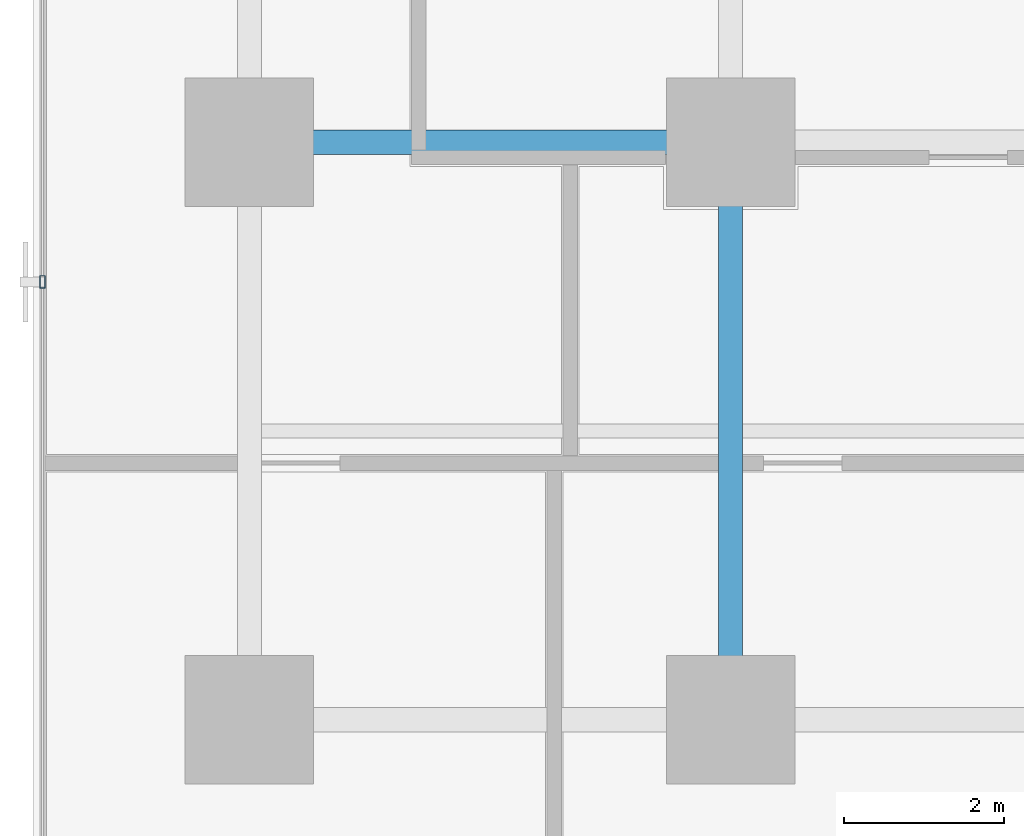
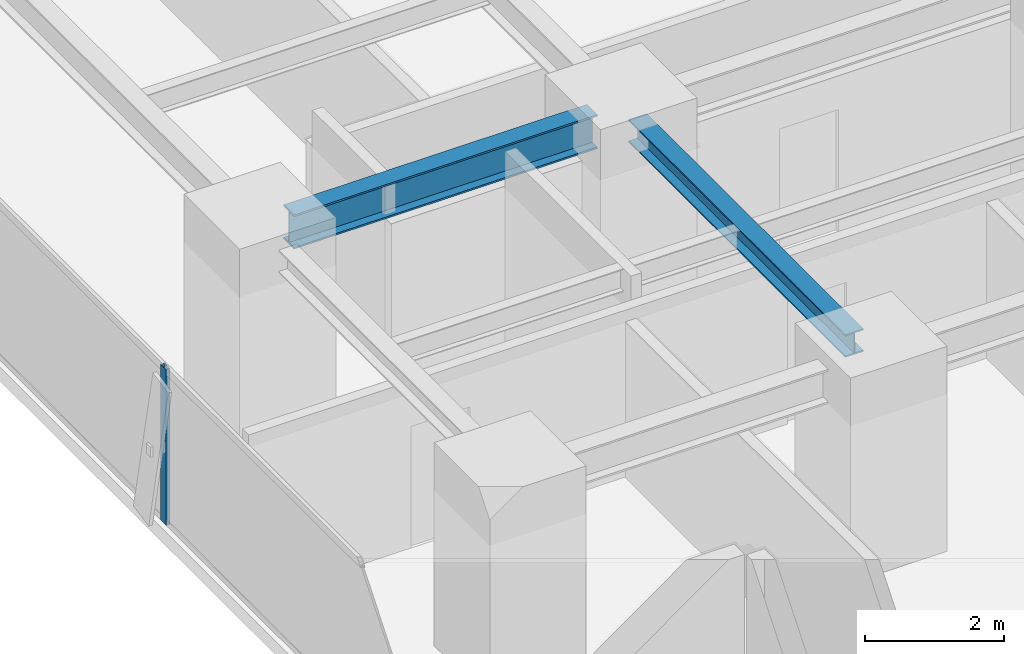
# One storey, part 4 of 37: 2 beams, 1 member, 1 element without a shape of its own.
"""IFC4 building model written with IfcOpenShell, lengths in metres."""

from ifc_helpers import new_model, si_unit, direction, frame, origin, origin_2d, place, context, subcontext, project, spatial, hollow_rectangle, i_section, extrude, source, transform, mapped, material, layer, layer_set, material_profile, profile_set, type_object, element, aggregate, save


model = new_model("IFC4")

# Units and contexts
model_context = context("Model", 3, precision=1e-05, world=origin(), true_north=direction((0.0, 1.0)))
body_context = subcontext(model_context, "Body", "Model", "MODEL_VIEW")
ifc_project = project(units=[si_unit("LENGTHUNIT", "METRE"), si_unit("AREAUNIT", "SQUARE_METRE"), si_unit("VOLUMEUNIT", "CUBIC_METRE"), si_unit("PLANEANGLEUNIT", "RADIAN"), si_unit("MASSUNIT", "GRAM", prefix="KILO")], contexts=[model_context])

# Site, building, storey
site_placement = place(None, origin())
site = spatial("IfcSite", under=ifc_project, at=site_placement, CompositionType="ELEMENT")
building_placement = place(site_placement, origin())
building = spatial("IfcBuilding", under=site, at=building_placement, Name="Sumidabori Civic Tower", CompositionType="ELEMENT")
storey_placement = place(building_placement, frame((0.0, 0.0, 117.199951171875)))
storey = spatial("IfcBuildingStorey", under=building, at=storey_placement, Name="L30", CompositionType="ELEMENT", Elevation=117.199951171875)

# Beams
ifc_material_1 = material(Name="Steel SN490", Category="steel")
ifc_material_profile_1 = material_profile(ifc_material_1, i_section(OverallWidth=0.300048828125, OverallDepth=0.60009765625, WebThickness=0.015380859375, FlangeThickness=0.030029296875, at=origin_2d()), Name="HE 600 B")
ifc_profile_set_1 = profile_set([ifc_material_profile_1], Name="Steel SN490")
beam_type_1 = type_object("IfcBeamType", Name="BM-GIRD-600", PredefinedType="BEAM", material=ifc_profile_set_1)
shared_shape_1 = source(origin(), body_context, "Body", "SweptSolid", [
    extrude(i_section(OverallWidth=0.300048828125, OverallDepth=0.60009765625, WebThickness=0.015380859375, FlangeThickness=0.030029296875, at=origin_2d()), origin(), (0.0, 0.0, 1.0), 5.0400390625),
])
beam_1_placement = place(storey_placement, frame((-22.320068359375, -10.800048828125, 3.06005859375), z_axis=(1.0, 0.0, 0.0), x_axis=(0.0, 1.0, 0.0)))
element("IfcBeam", 1, at=beam_1_placement, inside=storey, type_object=beam_type_1, Name="Primary Girder L30 GX-07", PredefinedType="BEAM", context=body_context, shape_type="MappedRepresentation", body=[
    mapped(shared_shape_1, transform((0.0, 0.0, 0.0), x_axis=(1.0, 0.0, 0.0), y_axis=(0.0, 1.0, 0.0), z_axis=(0.0, 0.0, 1.0), scale=1.0)),
])
ifc_material_profile_2 = material_profile(ifc_material_1, i_section(OverallWidth=0.300048828125, OverallDepth=0.39990234375, WebThickness=0.013427734375, FlangeThickness=0.02392578125, at=origin_2d()), Name="HE 400 B")
ifc_profile_set_2 = profile_set([ifc_material_profile_2], Name="Steel SN490")
beam_type_2 = type_object("IfcBeamType", Name="BM-GIRD-400", PredefinedType="BEAM", material=ifc_profile_set_2)
shared_shape_2 = source(origin(), body_context, "Body", "SweptSolid", [
    extrude(i_section(OverallWidth=0.300048828125, OverallDepth=0.39990234375, WebThickness=0.013427734375, FlangeThickness=0.02392578125, at=origin_2d()), origin(), (0.0, 0.0, 1.0), 6.239990234375),
])
beam_2_placement = place(storey_placement, frame((-16.800048828125, -17.52001953125, 3.16015625), z_axis=(0.0, 1.0, 0.0), x_axis=(-1.0, 0.0, 0.0)))
element("IfcBeam", 2, at=beam_2_placement, inside=storey, type_object=beam_type_2, Name="Primary Girder L30 GY-25", PredefinedType="BEAM", context=body_context, shape_type="MappedRepresentation", body=[
    mapped(shared_shape_2, transform((0.0, 0.0, 0.0), x_axis=(1.0, 0.0, 0.0), y_axis=(0.0, 1.0, 0.0), z_axis=(0.0, 0.0, 1.0), scale=1.0)),
])

# Curtain wall, member
ifc_material_2 = material(Name="Anodised Bronze Aluminium AW-6063-T6", Category="aluminium")
ifc_layer = layer(ifc_material_2, 0.179931640625, Name="Anodised Bronze Aluminium AW-6063-T6")
ifc_layer_set = layer_set([ifc_layer], Name="Anodised Bronze Aluminium AW-6063-T6")
curtain_wall_type = type_object("IfcCurtainWallType", Name="CW-SYS-3", PredefinedType="NOTDEFINED", material=ifc_layer_set)
curtain_wall_placement = place(storey_placement, origin())
curtain_wall = element("IfcCurtainWall", 3, at=curtain_wall_placement, inside=storey, type_object=curtain_wall_type, Name="Curtain Wall CW:L30:R10", PredefinedType="NOTDEFINED")
ifc_material_profile_3 = material_profile(ifc_material_2, hollow_rectangle(XDim=0.06494140625, YDim=0.159912109375, WallThickness=0.0048828125, at=origin_2d()), Name="ALU MULLION 160x65")
ifc_profile_set_3 = profile_set([ifc_material_profile_3], Name="Anodised Bronze Aluminium AW-6063-T6")
member_type = type_object("IfcMemberType", Name="CW-MUL-160", PredefinedType="MULLION", material=ifc_profile_set_3)
shared_shape_3 = source(origin(), body_context, "Body", "SweptSolid", [
    extrude(hollow_rectangle(XDim=0.06494140625, YDim=0.159912109375, WallThickness=0.0048828125, at=origin_2d()), origin(), (0.0, 0.0, 1.0), 2.739990234375),
])
member_placement = place(storey_placement, frame((-25.3798828125, -12.5419921875, 0.0), z_axis=(0.0, 0.0, 1.0), x_axis=(1.0, 0.0, 0.0)))
member = element("IfcMember", 4, at=member_placement, type_object=member_type, Name="CW-3 mullion 5", PredefinedType="MULLION", context=body_context, shape_type="MappedRepresentation", body=[
    mapped(shared_shape_3, transform((0.0, 0.0, 0.0), x_axis=(1.0, 0.0, 0.0), y_axis=(0.0, 1.0, 0.0), z_axis=(0.0, 0.0, 1.0), scale=1.0)),
])
aggregate(curtain_wall, [member])

save(model, "model.ifc")
